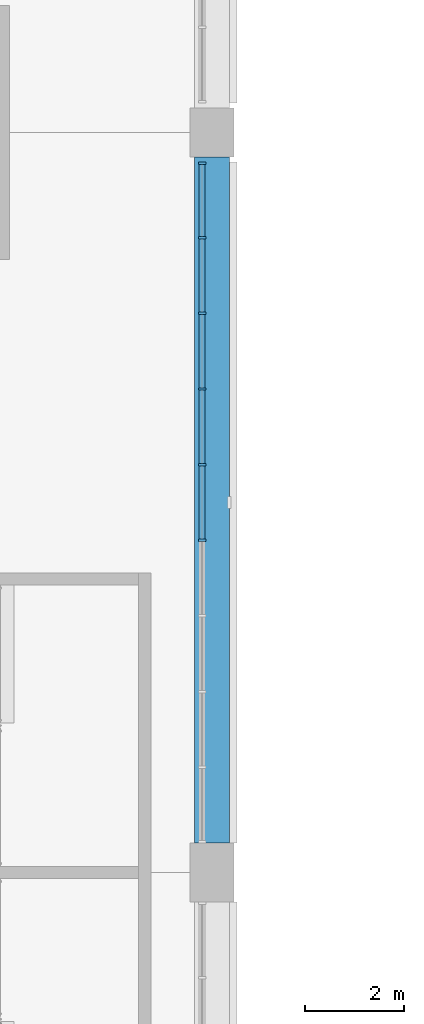
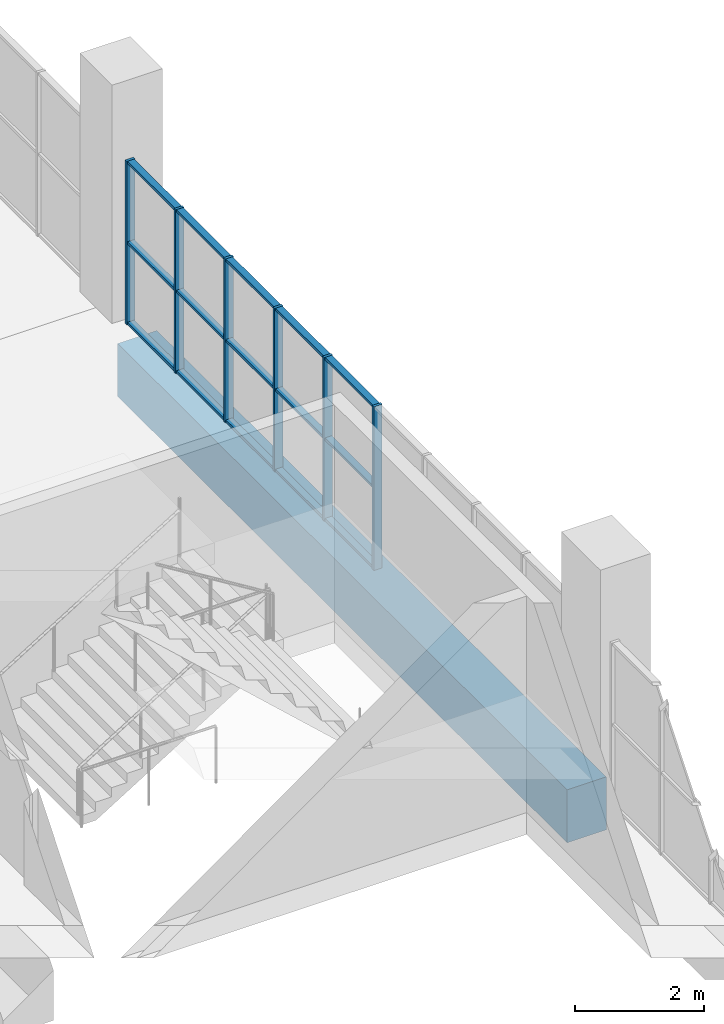
# One storey, part 30 of 199: 21 members, 1 beam, 1 element without a shape of its own.
"""IFC4 building model written with IfcOpenShell, lengths in metres."""

from ifc_helpers import new_model, si_unit, direction, frame, origin, origin_2d, place, context, subcontext, project, spatial, rectangle, extrude, material, material_profile, profile_set, type_object, element, aggregate, save


model = new_model("IFC4")

# Units and contexts
model_context = context("Model", 3, precision=1e-05, world=origin(), true_north=direction((0.0, 1.0)))
body_context = subcontext(model_context, "Body", "Model", "MODEL_VIEW")
ifc_project = project(units=[si_unit("LENGTHUNIT", "METRE"), si_unit("AREAUNIT", "SQUARE_METRE"), si_unit("VOLUMEUNIT", "CUBIC_METRE"), si_unit("PLANEANGLEUNIT", "RADIAN"), si_unit("MASSUNIT", "GRAM", prefix="KILO")], contexts=[model_context])

# Site, building, storey
site_placement = place(None, origin())
site = spatial("IfcSite", under=ifc_project, at=site_placement, CompositionType="ELEMENT")
building_placement = place(site_placement, origin())
building = spatial("IfcBuilding", under=site, at=building_placement, Name="Ogive Plaza Stadium", CompositionType="ELEMENT")
storey_placement = place(building_placement, frame((0.0, 0.0, 4.5)))
storey = spatial("IfcBuildingStorey", under=building, at=storey_placement, Name="L01", CompositionType="ELEMENT", Elevation=4.5)

# Curtain wall, members
ifc_material_1 = material(Name="Bronze-anodised aluminium with laminated glass", Category="aluminium")
curtain_wall_type = type_object("IfcCurtainWallType", Name="Lancet curtain wall", PredefinedType="NOTDEFINED", material=ifc_material_1)
curtain_wall_placement = place(storey_placement, origin())
curtain_wall = element("IfcCurtainWall", 1, at=curtain_wall_placement, inside=storey, type_object=curtain_wall_type, Name="CURTAIN WALL B05 L01", PredefinedType="NOTDEFINED")
ifc_material_2 = material(Name="Bronze-anodised aluminium", Category="aluminium")
ifc_material_profile_1 = material_profile(ifc_material_2, rectangle(XDim=0.14990234375, YDim=0.050048828125, at=origin_2d()), Name="AL 150x50")
ifc_profile_set_1 = profile_set([ifc_material_profile_1], Name="Bronze-anodised aluminium")
member_type_1 = type_object("IfcMemberType", Name="Curtain wall mullion 50x150", PredefinedType="MULLION", material=ifc_profile_set_1)
member_1_placement = place(storey_placement, frame((83.800048828125, -8.125, 0.0), z_axis=(0.0, 0.0, 1.0), x_axis=(1.0, 0.0, 0.0)))
member_1 = element("IfcMember", 2, at=member_1_placement, type_object=member_type_1, Name="CW-B05-L01 mullion 1", PredefinedType="MULLION", context=body_context, shape_type="SweptSolid", body=[
    extrude(rectangle(XDim=0.14990234375, YDim=0.050048828125, at=origin_2d()), origin(), (0.0, 0.0, 1.0), 3.090087890625),
])
member_2_placement = place(storey_placement, frame((83.800048828125, -9.63330078125, 0.0), z_axis=(0.0, 0.0, 1.0), x_axis=(1.0, 0.0, 0.0)))
member_2 = element("IfcMember", 3, at=member_2_placement, type_object=member_type_1, Name="CW-B05-L01 mullion 2", PredefinedType="MULLION", context=body_context, shape_type="SweptSolid", body=[
    extrude(rectangle(XDim=0.14990234375, YDim=0.050048828125, at=origin_2d()), origin(), (0.0, 0.0, 1.0), 3.090087890625),
])
member_3_placement = place(storey_placement, frame((83.800048828125, -11.166748046875, 0.0), z_axis=(0.0, 0.0, 1.0), x_axis=(1.0, 0.0, 0.0)))
member_3 = element("IfcMember", 4, at=member_3_placement, type_object=member_type_1, Name="CW-B05-L01 mullion 3", PredefinedType="MULLION", context=body_context, shape_type="SweptSolid", body=[
    extrude(rectangle(XDim=0.14990234375, YDim=0.050048828125, at=origin_2d()), origin(), (0.0, 0.0, 1.0), 3.090087890625),
])
member_4_placement = place(storey_placement, frame((83.800048828125, -12.699951171875, 0.0), z_axis=(0.0, 0.0, 1.0), x_axis=(1.0, 0.0, 0.0)))
member_4 = element("IfcMember", 5, at=member_4_placement, type_object=member_type_1, Name="CW-B05-L01 mullion 4", PredefinedType="MULLION", context=body_context, shape_type="SweptSolid", body=[
    extrude(rectangle(XDim=0.14990234375, YDim=0.050048828125, at=origin_2d()), origin(), (0.0, 0.0, 1.0), 3.090087890625),
])
member_5_placement = place(storey_placement, frame((83.800048828125, -14.2333984375, 0.0), z_axis=(0.0, 0.0, 1.0), x_axis=(1.0, 0.0, 0.0)))
member_5 = element("IfcMember", 6, at=member_5_placement, type_object=member_type_1, Name="CW-B05-L01 mullion 5", PredefinedType="MULLION", context=body_context, shape_type="SweptSolid", body=[
    extrude(rectangle(XDim=0.14990234375, YDim=0.050048828125, at=origin_2d()), origin(), (0.0, 0.0, 1.0), 3.090087890625),
])
member_6_placement = place(storey_placement, frame((83.800048828125, -15.7666015625, 0.0), z_axis=(0.0, 0.0, 1.0), x_axis=(1.0, 0.0, 0.0)))
member_6 = element("IfcMember", 7, at=member_6_placement, type_object=member_type_1, Name="CW-B05-L01 mullion 6", PredefinedType="MULLION", context=body_context, shape_type="SweptSolid", body=[
    extrude(rectangle(XDim=0.14990234375, YDim=0.050048828125, at=origin_2d()), origin(), (0.0, 0.0, 1.0), 3.090087890625),
])
ifc_material_3 = material(Name="Bronze-anodised aluminium", Category="aluminium")
ifc_material_profile_2 = material_profile(ifc_material_3, rectangle(XDim=0.1201171875, YDim=0.050048828125, at=origin_2d()), Name="AL 120x50")
ifc_profile_set_2 = profile_set([ifc_material_profile_2], Name="Bronze-anodised aluminium")
member_type_2 = type_object("IfcMemberType", Name="Curtain wall transom 50x120", PredefinedType="USERDEFINED", material=ifc_profile_set_2)
member_7_placement = place(storey_placement, frame((83.800048828125, -8.14990234375, 0.02490234375), z_axis=(0.0, -1.0, 0.0), x_axis=(1.0, 0.0, 0.0)))
member_7 = element("IfcMember", 8, at=member_7_placement, type_object=member_type_2, Name="CW-B05-L01 transom 1.1", ObjectType="TRANSOM", PredefinedType="USERDEFINED", context=body_context, shape_type="SweptSolid", body=[
    extrude(rectangle(XDim=0.1201171875, YDim=0.050048828125, at=origin_2d()), origin(), (0.0, 0.0, 1.0), 1.45849609375),
])
member_8_placement = place(storey_placement, frame((83.800048828125, -8.14990234375, 1.544921875), z_axis=(0.0, -1.0, 0.0), x_axis=(1.0, 0.0, 0.0)))
member_8 = element("IfcMember", 9, at=member_8_placement, type_object=member_type_2, Name="CW-B05-L01 transom 1.2", ObjectType="TRANSOM", PredefinedType="USERDEFINED", context=body_context, shape_type="SweptSolid", body=[
    extrude(rectangle(XDim=0.1201171875, YDim=0.050048828125, at=origin_2d()), origin(), (0.0, 0.0, 1.0), 1.45849609375),
])
member_9_placement = place(storey_placement, frame((83.800048828125, -8.14990234375, 3.06494140625), z_axis=(0.0, -1.0, 0.0), x_axis=(1.0, 0.0, 0.0)))
member_9 = element("IfcMember", 10, at=member_9_placement, type_object=member_type_2, Name="CW-B05-L01 transom 1.3", ObjectType="TRANSOM", PredefinedType="USERDEFINED", context=body_context, shape_type="SweptSolid", body=[
    extrude(rectangle(XDim=0.1201171875, YDim=0.050048828125, at=origin_2d()), origin(), (0.0, 0.0, 1.0), 1.45849609375),
])
member_10_placement = place(storey_placement, frame((83.800048828125, -9.658447265625, 0.02490234375), z_axis=(0.0, -1.0, 0.0), x_axis=(1.0, 0.0, 0.0)))
member_10 = element("IfcMember", 11, at=member_10_placement, type_object=member_type_2, Name="CW-B05-L01 transom 2.1", ObjectType="TRANSOM", PredefinedType="USERDEFINED", context=body_context, shape_type="SweptSolid", body=[
    extrude(rectangle(XDim=0.1201171875, YDim=0.050048828125, at=origin_2d()), origin(), (0.0, 0.0, 1.0), 1.483154296875),
])
member_11_placement = place(storey_placement, frame((83.800048828125, -9.658447265625, 1.544921875), z_axis=(0.0, -1.0, 0.0), x_axis=(1.0, 0.0, 0.0)))
member_11 = element("IfcMember", 12, at=member_11_placement, type_object=member_type_2, Name="CW-B05-L01 transom 2.2", ObjectType="TRANSOM", PredefinedType="USERDEFINED", context=body_context, shape_type="SweptSolid", body=[
    extrude(rectangle(XDim=0.1201171875, YDim=0.050048828125, at=origin_2d()), origin(), (0.0, 0.0, 1.0), 1.483154296875),
])
member_12_placement = place(storey_placement, frame((83.800048828125, -9.658447265625, 3.06494140625), z_axis=(0.0, -1.0, 0.0), x_axis=(1.0, 0.0, 0.0)))
member_12 = element("IfcMember", 13, at=member_12_placement, type_object=member_type_2, Name="CW-B05-L01 transom 2.3", ObjectType="TRANSOM", PredefinedType="USERDEFINED", context=body_context, shape_type="SweptSolid", body=[
    extrude(rectangle(XDim=0.1201171875, YDim=0.050048828125, at=origin_2d()), origin(), (0.0, 0.0, 1.0), 1.483154296875),
])
member_13_placement = place(storey_placement, frame((83.800048828125, -11.191650390625, 0.02490234375), z_axis=(0.0, -1.0, 0.0), x_axis=(1.0, 0.0, 0.0)))
member_13 = element("IfcMember", 14, at=member_13_placement, type_object=member_type_2, Name="CW-B05-L01 transom 3.1", ObjectType="TRANSOM", PredefinedType="USERDEFINED", context=body_context, shape_type="SweptSolid", body=[
    extrude(rectangle(XDim=0.1201171875, YDim=0.050048828125, at=origin_2d()), origin(), (0.0, 0.0, 1.0), 1.4833984375),
])
member_14_placement = place(storey_placement, frame((83.800048828125, -11.191650390625, 1.544921875), z_axis=(0.0, -1.0, 0.0), x_axis=(1.0, 0.0, 0.0)))
member_14 = element("IfcMember", 15, at=member_14_placement, type_object=member_type_2, Name="CW-B05-L01 transom 3.2", ObjectType="TRANSOM", PredefinedType="USERDEFINED", context=body_context, shape_type="SweptSolid", body=[
    extrude(rectangle(XDim=0.1201171875, YDim=0.050048828125, at=origin_2d()), origin(), (0.0, 0.0, 1.0), 1.4833984375),
])
member_15_placement = place(storey_placement, frame((83.800048828125, -11.191650390625, 3.06494140625), z_axis=(0.0, -1.0, 0.0), x_axis=(1.0, 0.0, 0.0)))
member_15 = element("IfcMember", 16, at=member_15_placement, type_object=member_type_2, Name="CW-B05-L01 transom 3.3", ObjectType="TRANSOM", PredefinedType="USERDEFINED", context=body_context, shape_type="SweptSolid", body=[
    extrude(rectangle(XDim=0.1201171875, YDim=0.050048828125, at=origin_2d()), origin(), (0.0, 0.0, 1.0), 1.4833984375),
])
member_16_placement = place(storey_placement, frame((83.800048828125, -12.72509765625, 0.02490234375), z_axis=(0.0, -1.0, 0.0), x_axis=(1.0, 0.0, 0.0)))
member_16 = element("IfcMember", 17, at=member_16_placement, type_object=member_type_2, Name="CW-B05-L01 transom 4.1", ObjectType="TRANSOM", PredefinedType="USERDEFINED", context=body_context, shape_type="SweptSolid", body=[
    extrude(rectangle(XDim=0.1201171875, YDim=0.050048828125, at=origin_2d()), origin(), (0.0, 0.0, 1.0), 1.483154296875),
])
member_17_placement = place(storey_placement, frame((83.800048828125, -12.72509765625, 1.544921875), z_axis=(0.0, -1.0, 0.0), x_axis=(1.0, 0.0, 0.0)))
member_17 = element("IfcMember", 18, at=member_17_placement, type_object=member_type_2, Name="CW-B05-L01 transom 4.2", ObjectType="TRANSOM", PredefinedType="USERDEFINED", context=body_context, shape_type="SweptSolid", body=[
    extrude(rectangle(XDim=0.1201171875, YDim=0.050048828125, at=origin_2d()), origin(), (0.0, 0.0, 1.0), 1.483154296875),
])
member_18_placement = place(storey_placement, frame((83.800048828125, -12.72509765625, 3.06494140625), z_axis=(0.0, -1.0, 0.0), x_axis=(1.0, 0.0, 0.0)))
member_18 = element("IfcMember", 19, at=member_18_placement, type_object=member_type_2, Name="CW-B05-L01 transom 4.3", ObjectType="TRANSOM", PredefinedType="USERDEFINED", context=body_context, shape_type="SweptSolid", body=[
    extrude(rectangle(XDim=0.1201171875, YDim=0.050048828125, at=origin_2d()), origin(), (0.0, 0.0, 1.0), 1.483154296875),
])
member_19_placement = place(storey_placement, frame((83.800048828125, -14.25830078125, 0.02490234375), z_axis=(0.0, -1.0, 0.0), x_axis=(1.0, 0.0, 0.0)))
member_19 = element("IfcMember", 20, at=member_19_placement, type_object=member_type_2, Name="CW-B05-L01 transom 5.1", ObjectType="TRANSOM", PredefinedType="USERDEFINED", context=body_context, shape_type="SweptSolid", body=[
    extrude(rectangle(XDim=0.1201171875, YDim=0.050048828125, at=origin_2d()), origin(), (0.0, 0.0, 1.0), 1.4833984375),
])
member_20_placement = place(storey_placement, frame((83.800048828125, -14.25830078125, 1.544921875), z_axis=(0.0, -1.0, 0.0), x_axis=(1.0, 0.0, 0.0)))
member_20 = element("IfcMember", 21, at=member_20_placement, type_object=member_type_2, Name="CW-B05-L01 transom 5.2", ObjectType="TRANSOM", PredefinedType="USERDEFINED", context=body_context, shape_type="SweptSolid", body=[
    extrude(rectangle(XDim=0.1201171875, YDim=0.050048828125, at=origin_2d()), origin(), (0.0, 0.0, 1.0), 1.4833984375),
])
member_21_placement = place(storey_placement, frame((83.800048828125, -14.25830078125, 3.06494140625), z_axis=(0.0, -1.0, 0.0), x_axis=(1.0, 0.0, 0.0)))
member_21 = element("IfcMember", 22, at=member_21_placement, type_object=member_type_2, Name="CW-B05-L01 transom 5.3", ObjectType="TRANSOM", PredefinedType="USERDEFINED", context=body_context, shape_type="SweptSolid", body=[
    extrude(rectangle(XDim=0.1201171875, YDim=0.050048828125, at=origin_2d()), origin(), (0.0, 0.0, 1.0), 1.4833984375),
])
aggregate(curtain_wall, [member_1, member_2, member_3, member_4, member_5, member_6, member_7, member_8, member_9, member_10, member_11, member_12, member_13, member_14, member_15, member_16, member_17, member_18, member_19, member_20, member_21])

# Beam
ifc_material_4 = material(Name="Concrete C40/50", Category="concrete")
ifc_material_profile_3 = material_profile(ifc_material_4, rectangle(XDim=0.699951171875, YDim=1.0, at=origin_2d()), Name="RC 700x1000")
ifc_profile_set_3 = profile_set([ifc_material_profile_3], Name="Concrete C40/50")
beam_type = type_object("IfcBeamType", Name="RC spandrel beam 700x1000", PredefinedType="SPANDREL", material=ifc_profile_set_3)
beam_placement = place(storey_placement, frame((84.0, -8.0, -0.909912109375), z_axis=(0.0, -1.0, 0.0), x_axis=(1.0, 0.0, 0.0)))
element("IfcBeam", 23, at=beam_placement, inside=storey, type_object=beam_type, Name="Ring beam F5 L01 B05", PredefinedType="SPANDREL", context=body_context, shape_type="SweptSolid", body=[
    extrude(rectangle(XDim=0.699951171875, YDim=1.0, at=origin_2d()), origin(), (0.0, 0.0, 1.0), 13.89990234375),
])

save(model, "model.ifc")
